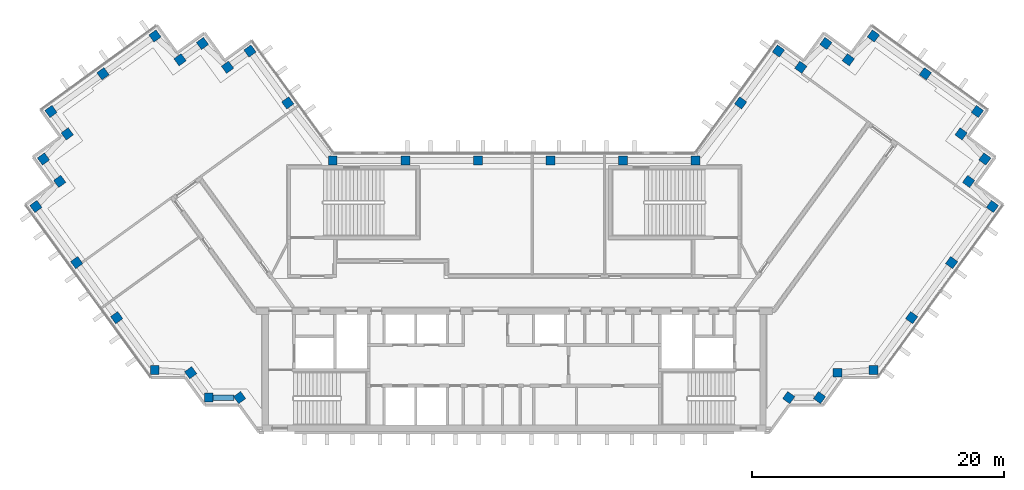
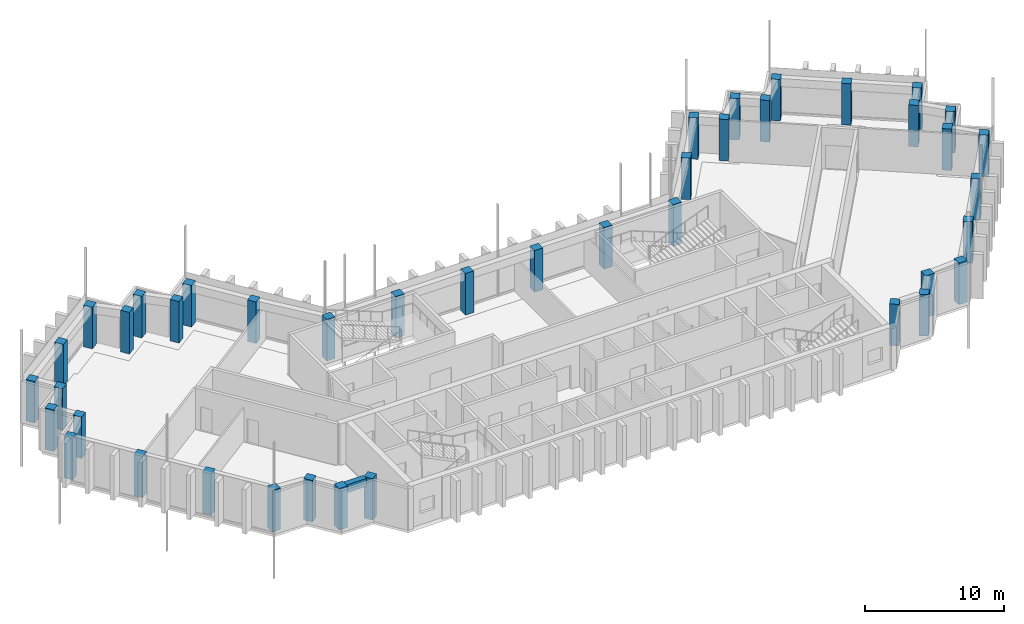
# One storey, part 1 of 13: 42 columns, 1 beam.
"""IFC4 building model written with IfcOpenShell, lengths in metres."""

from ifc_helpers import new_model, si_unit, direction, frame, origin, origin_2d, place, context, subcontext, project, spatial, rectangle, extrude, material, material_profile, profile_set, type_object, element, save


model = new_model("IFC4")

# Units and contexts
model_context = context("Model", 3, precision=1e-05, world=origin(), true_north=direction((0.0, 1.0)))
body_context = subcontext(model_context, "Body", "Model", "MODEL_VIEW")
ifc_project = project(units=[si_unit("LENGTHUNIT", "METRE"), si_unit("AREAUNIT", "SQUARE_METRE"), si_unit("VOLUMEUNIT", "CUBIC_METRE"), si_unit("PLANEANGLEUNIT", "RADIAN"), si_unit("MASSUNIT", "GRAM", prefix="KILO")], contexts=[model_context])

# Site, building, storey
site_placement = place(None, origin())
site = spatial("IfcSite", under=ifc_project, at=site_placement, CompositionType="ELEMENT")
building_placement = place(site_placement, origin())
building = spatial("IfcBuilding", under=site, at=building_placement, Name="Quipu Civic Tower", CompositionType="ELEMENT")
storey_placement = place(building_placement, frame((0.0, 0.0, 285.0)))
storey = spatial("IfcBuildingStorey", under=building, at=storey_placement, Name="L66", CompositionType="ELEMENT", Elevation=285.0)

# Columns
ifc_material_1 = material(Name="Concrete C50/60", Category="concrete")
ifc_material_profile_1 = material_profile(ifc_material_1, rectangle(XDim=0.699951171875, YDim=0.699951171875, at=origin_2d()), Name="RC700x700")
ifc_profile_set_1 = profile_set([ifc_material_profile_1], Name="Concrete C50/60")
column_type = type_object("IfcColumnType", Name="Perimeter column RC 700x700 C50/60", PredefinedType="COLUMN", material=ifc_profile_set_1)
for number, where, z_axis, x_axis, name in (
    (1, (-17.9736328125, 15.074951171875, 0.0), (0.0, 0.0, 1.0), (-0.587785252292, 0.809016994375, 0.0), "Column L66 W-IN-01"),
    (2, (-20.969970703125, 19.195068359375, 0.0), (0.0, 0.0, 1.0), (-0.587785252292, 0.809016994375, 0.0), "Column L66 T-Wi.0-W22"),
    (3, (-22.749267578125, 17.904296875, 0.0), (0.0, 0.0, 1.0), (-0.587785252292, 0.809016994375, 0.0), "Column L66 T-Wi.1-W22"),
    (4, (-24.739990234375, 19.794921875, 0.0), (0.0, 0.0, 1.0), (-0.587785252292, 0.809016994375, 0.0), "Column L66 T-Wi.2-W22"),
    (5, (-26.51904296875, 18.50048828125, 0.0), (0.0, 0.0, 1.0), (-0.587785252292, 0.809016994375, 0.0), "Column L66 T-Wi.3-W22"),
    (6, (-28.510009765625, 20.389892578125, 0.0), (0.0, 0.0, 1.0), (-0.809016994375, -0.587785252292, 0.0), "Column L66 T-Wi.4-W22"),
    (7, (-32.636962890625, 17.39306640625, 0.0), (0.0, 0.0, 1.0), (-0.809016994375, -0.587785252292, 0.0), "Column L66 TIP-W-01-W22"),
    (8, (-36.764892578125, 14.39501953125, 0.0), (0.0, 0.0, 1.0), (0.587785252292, -0.809016994375, 0.0), "Column L66 T-Wo.0-W22"),
    (9, (-35.470703125, 12.616455078125, 0.0), (0.0, 0.0, 1.0), (-0.809016994375, -0.587785252292, 0.0), "Column L66 T-Wo.1-W22"),
    (10, (-37.360107421875, 10.625, 0.0), (0.0, 0.0, 1.0), (0.587785252292, -0.809016994375, 0.0), "Column L66 T-Wo.2-W22"),
    (11, (-36.068115234375, 8.843994140625, 0.0), (0.0, 0.0, 1.0), (0.587785252292, -0.809016994375, 0.0), "Column L66 T-Wo.3-W22"),
    (12, (-37.9599609375, 6.85498046875, 0.0), (0.0, 0.0, 1.0), (0.587785252292, -0.809016994375, 0.0), "Column L66 T-Wo.4-W22"),
    (13, (-34.722412109375, 2.39990234375, 0.0), (0.0, 0.0, 1.0), (0.587785252292, -0.809016994375, 0.0), "Column L66 W-OUT-02"),
    (14, (-31.54833984375, -1.96875, 0.0), (0.0, 0.0, 1.0), (0.587785252292, -0.809016994375, 0.0), "Column L66 W-OUT-01"),
    (15, (-28.52490234375, -6.1298828125, 0.0), (0.0, 0.0, 1.0), (1.0, 0.0, 0.0), "Column L66 J-Wo.0"),
    (16, (-25.67431640625, -6.3369140625, 0.0), (0.0, 0.0, 1.0), (0.587785252292, -0.809016994375, 0.0), "Column L66 J-Wo.1"),
    (17, (-24.235107421875, -8.31494140625, 0.0), (0.0, 0.0, 1.0), (1.0, 0.0, 0.0), "Column L66 J-Wo.2"),
    (18, (-21.791748046875, -8.31494140625, 0.0), (0.0, 0.0, 1.0), (0.587785252292, -0.809016994375, 0.0), "Column L66 J-Wo.3"),
    (19, (21.791748046875, -8.31494140625, 0.0), (0.0, 0.0, 1.0), (0.587785252292, 0.809016994375, 0.0), "Column L66 J-Eo.1"),
    (20, (24.235107421875, -8.31494140625, 0.0), (0.0, 0.0, 1.0), (0.587785252292, 0.809016994375, 0.0), "Column L66 J-Eo.2"),
    (21, (25.67431640625, -6.3369140625, 0.0), (0.0, 0.0, 1.0), (1.0, 0.0, 0.0), "Column L66 J-Eo.3"),
    (22, (28.52490234375, -6.1298828125, 0.0), (0.0, 0.0, 1.0), (1.0, 0.0, 0.0), "Column L66 J-Eo.4"),
    (23, (31.54833984375, -1.96875, 0.0), (0.0, 0.0, 1.0), (0.587785252292, 0.809016994375, 0.0), "Column L66 E-OUT-01"),
    (24, (34.722412109375, 2.39990234375, 0.0), (0.0, 0.0, 1.0), (0.587785252292, 0.809016994375, 0.0), "Column L66 E-OUT-02"),
    (25, (37.9599609375, 6.85498046875, 0.0), (0.0, 0.0, 1.0), (0.587785252292, 0.809016994375, 0.0), "Column L66 T-Eo.0-E22"),
    (26, (36.068115234375, 8.843994140625, 0.0), (0.0, 0.0, 1.0), (0.587785252292, 0.809016994375, 0.0), "Column L66 T-Eo.1-E22"),
    (27, (37.360107421875, 10.625, 0.0), (0.0, 0.0, 1.0), (0.587785252292, 0.809016994375, 0.0), "Column L66 T-Eo.2-E22"),
    (28, (35.470703125, 12.616455078125, 0.0), (0.0, 0.0, 1.0), (-0.809016994375, 0.587785252292, 0.0), "Column L66 T-Eo.3-E22"),
    (29, (36.764892578125, 14.39501953125, 0.0), (0.0, 0.0, 1.0), (-0.809016994375, 0.587785252292, 0.0), "Column L66 T-Eo.4-E22"),
    (30, (32.636962890625, 17.39306640625, 0.0), (0.0, 0.0, 1.0), (-0.809016994375, 0.587785252292, 0.0), "Column L66 TIP-E-01-E22"),
    (31, (28.510009765625, 20.389892578125, 0.0), (0.0, 0.0, 1.0), (-0.587785252292, -0.809016994375, 0.0), "Column L66 T-Ei.0-E22"),
    (32, (26.51904296875, 18.50048828125, 0.0), (0.0, 0.0, 1.0), (-0.809016994375, 0.587785252292, 0.0), "Column L66 T-Ei.1-E22"),
    (33, (24.739990234375, 19.794921875, 0.0), (0.0, 0.0, 1.0), (-0.587785252292, -0.809016994375, 0.0), "Column L66 T-Ei.2-E22"),
    (34, (22.749267578125, 17.904296875, 0.0), (0.0, 0.0, 1.0), (-0.587785252292, -0.809016994375, 0.0), "Column L66 T-Ei.3-E22"),
    (35, (20.969970703125, 19.195068359375, 0.0), (0.0, 0.0, 1.0), (-0.587785252292, -0.809016994375, 0.0), "Column L66 T-Ei.4-E22"),
    (36, (17.9736328125, 15.074951171875, 0.0), (0.0, 0.0, 1.0), (-0.587785252292, -0.809016994375, 0.0), "Column L66 E-IN-01"),
    (37, (14.395263671875, 10.5, 0.0), (0.0, 0.0, 1.0), (-1.0, 0.0, 0.0), "Column L66 J-Ei.0"),
    (38, (8.63720703125, 10.5, 0.0), (0.0, 0.0, 1.0), (-1.0, 0.0, 0.0), "Column L66 FRONT-01"),
    (39, (2.87890625, 10.5, 0.0), (0.0, 0.0, 1.0), (-1.0, 0.0, 0.0), "Column L66 FRONT-02"),
    (40, (-2.87890625, 10.5, 0.0), (0.0, 0.0, 1.0), (-1.0, 0.0, 0.0), "Column L66 FRONT-03"),
    (41, (-8.63720703125, 10.5, 0.0), (0.0, 0.0, 1.0), (-1.0, 0.0, 0.0), "Column L66 FRONT-04"),
    (42, (-14.395263671875, 10.5, 0.0), (0.0, 0.0, 1.0), (-1.0, 0.0, 0.0), "Column L66 J-Wi.0"),
):
    element("IfcColumn", number, at=place(storey_placement, frame(where, z_axis=z_axis, x_axis=x_axis)), inside=storey, type_object=column_type, Name=name, PredefinedType="COLUMN", context=body_context, shape_type="SweptSolid", body=[
        extrude(rectangle(XDim=0.699951171875, YDim=0.699951171875, at=origin_2d()), origin(), (0.0, 0.0, 1.0), 3.64990234375),
    ])

# Beam
ifc_material_2 = material(Name="Concrete C50/60", Category="concrete")
ifc_material_profile_2 = material_profile(ifc_material_2, rectangle(XDim=0.449951171875, YDim=0.699951171875, at=origin_2d()), Name="RC450x700")
ifc_profile_set_2 = profile_set([ifc_material_profile_2], Name="Concrete C50/60")
beam_type = type_object("IfcBeamType", Name="Spandrel beam RC 450x700 C50/60", PredefinedType="SPANDREL", material=ifc_profile_set_2)
beam_placement = place(storey_placement, frame((-23.885009765625, -8.31494140625, 3.300048828125), z_axis=(1.0, 0.0, 0.0), x_axis=(0.0, 1.0, 0.0)))
element("IfcBeam", 43, at=beam_placement, inside=storey, type_object=beam_type, Name="Spandrel beam L66 J-Wo.2 to J-Wo.3", PredefinedType="SPANDREL", context=body_context, shape_type="SweptSolid", body=[
    extrude(rectangle(XDim=0.449951171875, YDim=0.699951171875, at=origin_2d()), origin(), (0.0, 0.0, 1.0), 1.66064453125),
])

save(model, "model.ifc")
